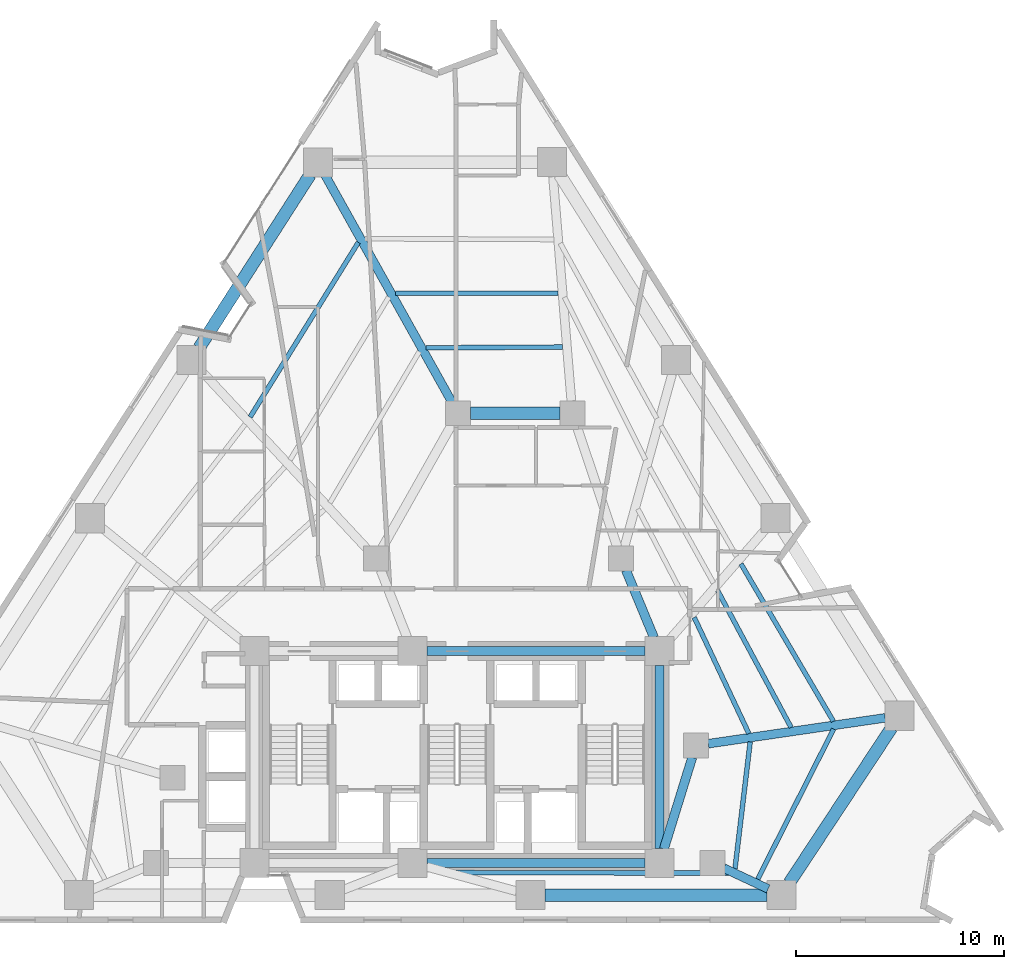
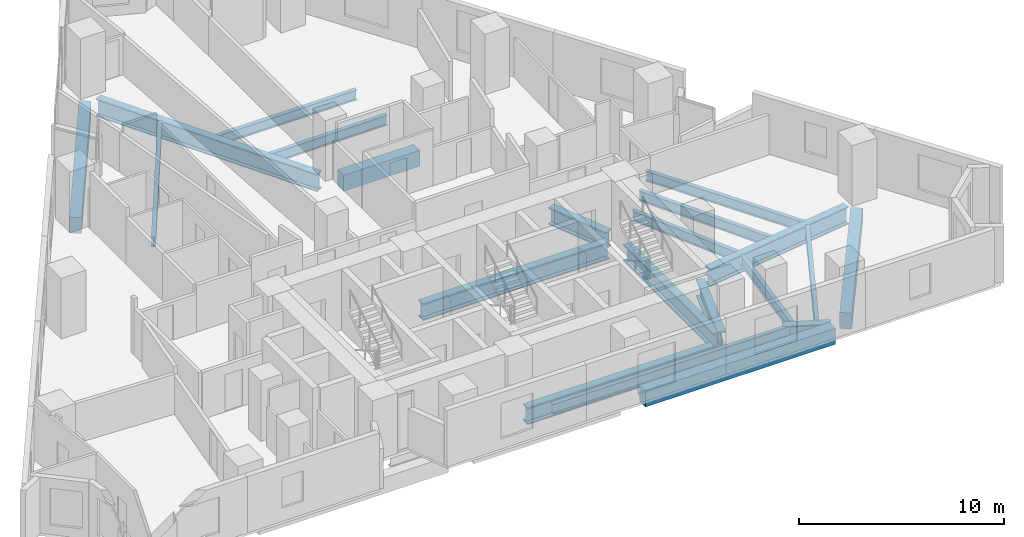
# One storey, part 3 of 12: 21 beams.
"""IFC4 building model written with IfcOpenShell, lengths in metres."""

from ifc_helpers import new_model, si_unit, direction, frame, origin, origin_2d, place, context, subcontext, project, spatial, rectangle, i_section, extrude, material, material_profile, profile_set, type_object, element, save


model = new_model("IFC4")

# Units and contexts
model_context = context("Model", 3, precision=1e-05, world=origin(), true_north=direction((0.0, 1.0)))
body_context = subcontext(model_context, "Body", "Model", "MODEL_VIEW")
ifc_project = project(units=[si_unit("LENGTHUNIT", "METRE"), si_unit("AREAUNIT", "SQUARE_METRE"), si_unit("VOLUMEUNIT", "CUBIC_METRE"), si_unit("PLANEANGLEUNIT", "RADIAN"), si_unit("MASSUNIT", "GRAM", prefix="KILO")], contexts=[model_context])

# Site, building, storey
site_placement = place(None, origin())
site = spatial("IfcSite", under=ifc_project, at=site_placement, CompositionType="ELEMENT")
building_placement = place(site_placement, origin())
building = spatial("IfcBuilding", under=site, at=building_placement, Name="Almagre Mirador Tower", CompositionType="ELEMENT")
storey_placement = place(building_placement, frame((0.0, 0.0, 64.199951171875)))
storey = spatial("IfcBuildingStorey", under=building, at=storey_placement, Name="L15", CompositionType="ELEMENT", Elevation=64.199951171875)

# Beams
ifc_material_1 = material(Name="Steel ASTM A992 Grade 50", Category="steel")
ifc_material_profile_1 = material_profile(ifc_material_1, i_section(OverallWidth=0.22802734375, OverallDepth=0.60791015625, WebThickness=0.01123046875, FlangeThickness=0.017333984375, FilletRadius=0.02001953125, at=origin_2d()), Name="W24X76")
ifc_profile_set_1 = profile_set([ifc_material_profile_1], Name="Steel ASTM A992 Grade 50")
beam_type_1 = type_object("IfcBeamType", Name="BM-JST-W24X76", PredefinedType="JOIST", material=ifc_profile_set_1)
beam_1_placement = place(storey_placement, frame((37.07421875, 4.081787109375, -0.553955078125), z_axis=(0.999998197321, -0.001898776976, 0.0), x_axis=(0.001898776976, 0.999998197321, 0.0)))
element("IfcBeam", 1, at=beam_1_placement, inside=storey, type_object=beam_type_1, Name="L15 secondary floor joist PC03-PC04.3", PredefinedType="JOIST", context=body_context, shape_type="SweptSolid", body=[
    extrude(i_section(OverallWidth=0.22802734375, OverallDepth=0.60791015625, WebThickness=0.01123046875, FlangeThickness=0.017333984375, FilletRadius=0.02001953125, at=origin_2d()), origin(), (0.0, 0.0, 1.0), 13.3720703125),
])
beam_2_placement = place(storey_placement, frame((51.77490234375, 3.763427734375, -0.553955078125), z_axis=(0.45132909199, 0.892357580079, 0.0), x_axis=(-0.892357580079, 0.45132909199, 0.0)))
element("IfcBeam", 2, at=beam_2_placement, inside=storey, type_object=beam_type_1, Name="L15 secondary floor joist PC04-PC05.1", PredefinedType="JOIST", context=body_context, shape_type="SweptSolid", body=[
    extrude(i_section(OverallWidth=0.22802734375, OverallDepth=0.60791015625, WebThickness=0.01123046875, FlangeThickness=0.017333984375, FilletRadius=0.02001953125, at=origin_2d()), origin(), (0.0, 0.0, 1.0), 8.10595703125),
])
beam_3_placement = place(storey_placement, frame((50.6806640625, 4.263916015625, -0.553955078125), z_axis=(0.119026397741, 0.99289109002, 0.0), x_axis=(-0.99289109002, 0.119026397741, 0.0)))
element("IfcBeam", 3, at=beam_3_placement, inside=storey, type_object=beam_type_1, Name="L15 secondary floor joist PC04-PC05.3", PredefinedType="JOIST", context=body_context, shape_type="SweptSolid", body=[
    extrude(i_section(OverallWidth=0.22802734375, OverallDepth=0.60791015625, WebThickness=0.01123046875, FlangeThickness=0.017333984375, FilletRadius=0.02001953125, at=origin_2d()), origin(), (0.0, 0.0, 1.0), 6.157470703125),
])
beam_4_placement = place(storey_placement, frame((55.421875, 11.364501953125, -0.553955078125), z_axis=(-0.506385486281, 0.86230721862, 0.0), x_axis=(-0.86230721862, -0.506385486281, 0.0)))
element("IfcBeam", 4, at=beam_4_placement, inside=storey, type_object=beam_type_1, Name="L15 secondary floor joist PC05-PC06.1", PredefinedType="JOIST", context=body_context, shape_type="SweptSolid", body=[
    extrude(i_section(OverallWidth=0.22802734375, OverallDepth=0.60791015625, WebThickness=0.01123046875, FlangeThickness=0.017333984375, FilletRadius=0.02001953125, at=origin_2d()), origin(), (0.0, 0.0, 1.0), 8.79443359375),
])
beam_5_placement = place(storey_placement, frame((53.384033203125, 11.0693359375, -0.553955078125), z_axis=(-0.473167442946, 0.880972514291, 0.0), x_axis=(-0.880972514291, -0.473167442946, 0.0)))
element("IfcBeam", 5, at=beam_5_placement, inside=storey, type_object=beam_type_1, Name="L15 secondary floor joist PC05-PC06.2", PredefinedType="JOIST", context=body_context, shape_type="SweptSolid", body=[
    extrude(i_section(OverallWidth=0.22802734375, OverallDepth=0.60791015625, WebThickness=0.01123046875, FlangeThickness=0.017333984375, FilletRadius=0.02001953125, at=origin_2d()), origin(), (0.0, 0.0, 1.0), 7.481689453125),
])
beam_6_placement = place(storey_placement, frame((51.34912109375, 10.775390625, -0.553955078125), z_axis=(-0.425658253991, 0.904883998538, 0.0), x_axis=(-0.904883998538, -0.425658253991, 0.0)))
element("IfcBeam", 6, at=beam_6_placement, inside=storey, type_object=beam_type_1, Name="L15 secondary floor joist PC05-PC06.3", PredefinedType="JOIST", context=body_context, shape_type="SweptSolid", body=[
    extrude(i_section(OverallWidth=0.22802734375, OverallDepth=0.60791015625, WebThickness=0.01123046875, FlangeThickness=0.017333984375, FilletRadius=0.02001953125, at=origin_2d()), origin(), (0.0, 0.0, 1.0), 6.184814453125),
])
beam_7_placement = place(storey_placement, frame((42.168212890625, 31.979248046875, -0.553955078125), z_axis=(-0.999999987869, -0.000155763238, 0.0), x_axis=(0.000155763238, -0.999999987869, 0.0)))
element("IfcBeam", 7, at=beam_7_placement, inside=storey, type_object=beam_type_1, Name="L15 secondary floor joist PC08-PC09.2", PredefinedType="JOIST", context=body_context, shape_type="SweptSolid", body=[
    extrude(i_section(OverallWidth=0.22802734375, OverallDepth=0.60791015625, WebThickness=0.01123046875, FlangeThickness=0.017333984375, FilletRadius=0.02001953125, at=origin_2d()), origin(), (0.0, 0.0, 1.0), 7.8369140625),
])
beam_8_placement = place(storey_placement, frame((42.3798828125, 29.387451171875, -0.553955078125), z_axis=(-0.999985531686, -0.0053792581, 0.0), x_axis=(0.0053792581, -0.999985531686, 0.0)))
element("IfcBeam", 8, at=beam_8_placement, inside=storey, type_object=beam_type_1, Name="L15 secondary floor joist PC08-PC09.3", PredefinedType="JOIST", context=body_context, shape_type="SweptSolid", body=[
    extrude(i_section(OverallWidth=0.22802734375, OverallDepth=0.60791015625, WebThickness=0.01123046875, FlangeThickness=0.017333984375, FilletRadius=0.02001953125, at=origin_2d()), origin(), (0.0, 0.0, 1.0), 6.580810546875),
])
beam_9_placement = place(storey_placement, frame((32.54345703125, 34.427001953125, -0.553955078125), z_axis=(-0.526750382105, -0.850020020324, 0.0), x_axis=(0.850020020324, -0.526750382105, 0.0)))
element("IfcBeam", 9, at=beam_9_placement, inside=storey, type_object=beam_type_1, Name="L15 secondary floor joist PC09-PC10.1", PredefinedType="JOIST", context=body_context, shape_type="SweptSolid", body=[
    extrude(i_section(OverallWidth=0.22802734375, OverallDepth=0.60791015625, WebThickness=0.01123046875, FlangeThickness=0.017333984375, FilletRadius=0.02001953125, at=origin_2d()), origin(), (0.0, 0.0, 1.0), 9.89501953125),
])
ifc_material_2 = material(Name="Concrete C60/75", Category="concrete")
ifc_material_profile_2 = material_profile(ifc_material_2, rectangle(XDim=0.60009765625, YDim=0.949951171875, at=origin_2d()), Name="RC600X950")
ifc_profile_set_2 = profile_set([ifc_material_profile_2], Name="Concrete C60/75")
beam_type_2 = type_object("IfcBeamType", Name="BM-LIN-RC600X950", PredefinedType="LINTEL", material=ifc_profile_set_2)
beam_10_placement = place(storey_placement, frame((37.949951171875, 26.199951171875, -0.724853515625), z_axis=(1.0, 0.0, 0.0), x_axis=(0.0, 1.0, 0.0)))
element("IfcBeam", 10, at=beam_10_placement, inside=storey, type_object=beam_type_2, Name="L15 coupled header lintel LN-01", PredefinedType="LINTEL", context=body_context, shape_type="SweptSolid", body=[
    extrude(rectangle(XDim=0.60009765625, YDim=0.949951171875, at=origin_2d()), origin(), (0.0, 0.0, 1.0), 4.300048828125),
])
ifc_material_3 = material(Name="Precast concrete C50/60", Category="concrete")
ifc_material_profile_3 = material_profile(ifc_material_3, rectangle(XDim=0.60009765625, YDim=0.949951171875, at=origin_2d()), Name="RC600X950")
ifc_profile_set_3 = profile_set([ifc_material_profile_3], Name="Precast concrete C50/60")
beam_type_3 = type_object("IfcBeamType", Name="BM-SPN-RC600X950", PredefinedType="SPANDREL", material=ifc_profile_set_3)
beam_11_placement = place(storey_placement, frame((41.531982421875, 3.0, -0.724853515625), z_axis=(1.0, 0.0, 0.0), x_axis=(0.0, 1.0, 0.0)))
element("IfcBeam", 11, at=beam_11_placement, inside=storey, type_object=beam_type_3, Name="L15 perimeter spandrel beam PC03-PC04", PredefinedType="SPANDREL", context=body_context, shape_type="SweptSolid", body=[
    extrude(rectangle(XDim=0.60009765625, YDim=0.949951171875, at=origin_2d()), origin(), (0.0, 0.0, 1.0), 10.679931640625),
])
beam_12_placement = place(storey_placement, frame((53.29736328125, 3.58447265625, -0.724853515625), z_axis=(0.550560338686, 0.834795372211, 0.0), x_axis=(-0.834795372211, 0.550560338686, 0.0)))
element("IfcBeam", 12, at=beam_12_placement, inside=storey, type_object=beam_type_3, Name="L15 perimeter spandrel beam PC04-PC05", PredefinedType="SPANDREL", context=body_context, shape_type="SweptSolid", body=[
    extrude(rectangle(XDim=0.60009765625, YDim=0.949951171875, at=origin_2d()), origin(), (0.0, 0.0, 1.0), 8.9423828125),
])
beam_13_placement = place(storey_placement, frame((30.222412109375, 37.691650390625, -0.724853515625), z_axis=(-0.539503978712, -0.841983050277, 0.0), x_axis=(0.841983050277, -0.539503978712, 0.0)))
element("IfcBeam", 13, at=beam_13_placement, inside=storey, type_object=beam_type_3, Name="L15 perimeter spandrel beam PC09-PC10", PredefinedType="SPANDREL", context=body_context, shape_type="SweptSolid", body=[
    extrude(rectangle(XDim=0.60009765625, YDim=0.949951171875, at=origin_2d()), origin(), (0.0, 0.0, 1.0), 9.90673828125),
])
ifc_material_4 = material(Name="Steel ASTM A992 Grade 50", Category="steel")
ifc_material_profile_4 = material_profile(ifc_material_4, i_section(OverallWidth=0.43701171875, OverallDepth=1.010986328125, WebThickness=0.041015625, FlangeThickness=0.073974609375, FilletRadius=0.028076171875, at=origin_2d()), Name="W36X529")
ifc_profile_set_4 = profile_set([ifc_material_profile_4], Name="Steel ASTM A992 Grade 50")
beam_type_4 = type_object("IfcBeamType", Name="BM-STL-W36X529", PredefinedType="BEAM", material=ifc_profile_set_4)
for number, where, z_axis, x_axis, name in (
    (14, (35.85009765625, 4.550048828125, -0.75537109375), (1.0, 0.0, 0.0), (0.0, 1.0, 0.0), "L15 core tie girder CC2-CC3"),
    (15, (35.85009765625, 14.75, -0.75537109375), (1.0, 0.0, 0.0), (0.0, 1.0, 0.0), "L15 core tie girder CC5-CC6"),
):
    element("IfcBeam", number, at=place(storey_placement, frame(where, z_axis=z_axis, x_axis=x_axis)), inside=storey, type_object=beam_type_4, Name=name, PredefinedType="BEAM", context=body_context, shape_type="SweptSolid", body=[
        extrude(i_section(OverallWidth=0.43701171875, OverallDepth=1.010986328125, WebThickness=0.041015625, FlangeThickness=0.073974609375, FilletRadius=0.028076171875, at=origin_2d()), origin(), (0.0, 0.0, 1.0), 10.5),
    ])
beam_14_placement = place(storey_placement, frame((47.050048828125, 5.25, -0.75537109375), z_axis=(0.0, 1.0, 0.0), x_axis=(-1.0, 0.0, 0.0)))
element("IfcBeam", 16, at=beam_14_placement, inside=storey, type_object=beam_type_4, Name="L15 core tie girder CC3-CC6", PredefinedType="BEAM", context=body_context, shape_type="SweptSolid", body=[
    extrude(i_section(OverallWidth=0.43701171875, OverallDepth=1.010986328125, WebThickness=0.041015625, FlangeThickness=0.073974609375, FilletRadius=0.028076171875, at=origin_2d()), origin(), (0.0, 0.0, 1.0), 8.800048828125),
])
beam_15_placement = place(storey_placement, frame((48.62255859375, 9.626953125, -0.75537109375), z_axis=(-0.295888328273, -0.955222538046, 0.0), x_axis=(0.955222538046, -0.295888328273, 0.0)))
element("IfcBeam", 17, at=beam_15_placement, inside=storey, type_object=beam_type_4, Name="L15 core tie girder MC3-CC3", PredefinedType="BEAM", context=body_context, shape_type="SweptSolid", body=[
    extrude(i_section(OverallWidth=0.43701171875, OverallDepth=1.010986328125, WebThickness=0.041015625, FlangeThickness=0.073974609375, FilletRadius=0.028076171875, at=origin_2d()), origin(), (0.0, 0.0, 1.0), 4.61474609375),
])
beam_16_placement = place(storey_placement, frame((45.430419921875, 18.64599609375, -0.75537109375), z_axis=(0.383856635851, -0.923392702545, 0.0), x_axis=(0.923392702545, 0.383856635851, 0.0)))
element("IfcBeam", 18, at=beam_16_placement, inside=storey, type_object=beam_type_4, Name="L15 core tie girder MC5-CC6", PredefinedType="BEAM", context=body_context, shape_type="SweptSolid", body=[
    extrude(i_section(OverallWidth=0.43701171875, OverallDepth=1.010986328125, WebThickness=0.041015625, FlangeThickness=0.073974609375, FilletRadius=0.028076171875, at=origin_2d()), origin(), (0.0, 0.0, 1.0), 3.51904296875),
])
ifc_material_5 = material(Name="Steel ASTM A913 Grade 65", Category="steel")
ifc_material_profile_5 = material_profile(ifc_material_5, i_section(OverallWidth=0.4189453125, OverallDepth=1.041015625, WebThickness=0.031005859375, FlangeThickness=0.055908203125, FilletRadius=0.030029296875, at=origin_2d()), Name="W40X397")
ifc_profile_set_5 = profile_set([ifc_material_profile_5], Name="Steel ASTM A913 Grade 65")
beam_type_5 = type_object("IfcBeamType", Name="BM-STL-W40X397", PredefinedType="BEAM", material=ifc_profile_set_5)
beam_17_placement = place(storey_placement, frame((52.278076171875, 3.296630859375, -0.7705078125), z_axis=(-0.905727455925, 0.423860561487, 0.0), x_axis=(-0.423860561487, -0.905727455925, 0.0)))
element("IfcBeam", 19, at=beam_17_placement, inside=storey, type_object=beam_type_5, Name="L15 radial floor girder PC04-MC2", PredefinedType="BEAM", context=body_context, shape_type="SweptSolid", body=[
    extrude(i_section(OverallWidth=0.4189453125, OverallDepth=1.041015625, WebThickness=0.031005859375, FlangeThickness=0.055908203125, FilletRadius=0.030029296875, at=origin_2d()), origin(), (0.0, 0.0, 1.0), 2.35693359375),
])
beam_18_placement = place(storey_placement, frame((57.913330078125, 11.53271484375, -0.7705078125), z_axis=(-0.989476218812, -0.144695585299, 0.0), x_axis=(0.144695585299, -0.989476218812, 0.0)))
element("IfcBeam", 20, at=beam_18_placement, inside=storey, type_object=beam_type_5, Name="L15 radial floor girder PC05-MC3", PredefinedType="BEAM", context=body_context, shape_type="SweptSolid", body=[
    extrude(i_section(OverallWidth=0.4189453125, OverallDepth=1.041015625, WebThickness=0.031005859375, FlangeThickness=0.055908203125, FilletRadius=0.030029296875, at=origin_2d()), origin(), (0.0, 0.0, 1.0), 8.610107421875),
])
beam_19_placement = place(storey_placement, frame((30.94140625, 37.669921875, -0.7705078125), z_axis=(0.487764189082, -0.87297542683, 0.0), x_axis=(0.87297542683, 0.487764189082, 0.0)))
element("IfcBeam", 21, at=beam_19_placement, inside=storey, type_object=beam_type_5, Name="L15 radial floor girder PC09-MC7", PredefinedType="BEAM", context=body_context, shape_type="SweptSolid", body=[
    extrude(i_section(OverallWidth=0.4189453125, OverallDepth=1.041015625, WebThickness=0.031005859375, FlangeThickness=0.055908203125, FilletRadius=0.030029296875, at=origin_2d()), origin(), (0.0, 0.0, 1.0), 12.538818359375),
])

save(model, "model.ifc")
